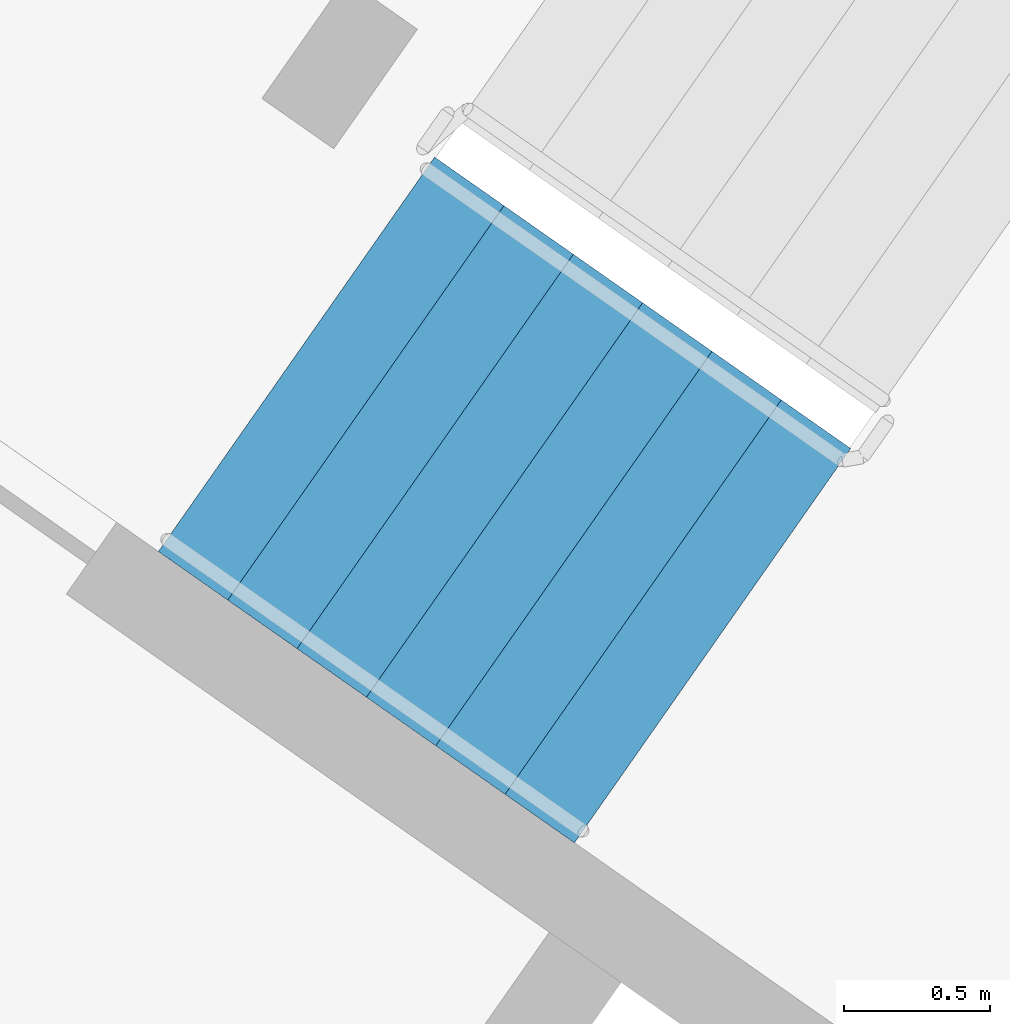
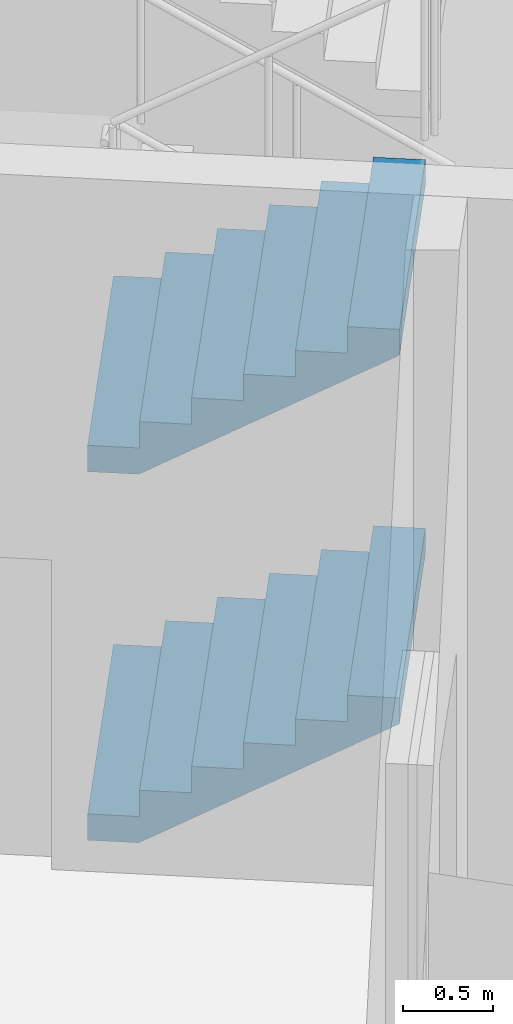
# One storey, part 15 of 24: 2 stair flights, 1 element without a shape of its own.
"""IFC4 building model written with IfcOpenShell, lengths in metres."""

import ifcopenshell
import ifcopenshell.guid

model = None  # the IFC model being written
_history = None  # IfcOwnerHistory: only IFC2X3 demands one
_inside = {}  # id of a spatial element -> (the spatial element, [elements in it])
_under = {}  # id of a project, library or spatial element -> (it, [spatial elements below it])
_declared = {}  # id of a project -> (the project, [libraries it declares])
_typed = {}  # id of a type object -> (the type object, [elements of that type])
_made_of = {}  # id of a material, layer set ... -> (it, [elements and type objects made of it])


def new_model(schema):
    """Start an empty IFC model of exactly this schema.

    Asked for "IFC4X3", IfcOpenShell would pick the latest addendum, in which some entities
    have other attributes; the version numbers below select the first issue.
    IFC2X3 requires an IfcOwnerHistory on every rooted entity: one is made here for all.
    """
    global model, _history
    if schema == "IFC4X3":
        model = ifcopenshell.file(schema_version=(4, 3, 0, 0))
    else:
        model = ifcopenshell.file(schema=schema)
    _inside.clear()
    _under.clear()
    _declared.clear()
    _typed.clear()
    _made_of.clear()
    _history = None
    if model.schema == "IFC2X3":
        org = make("IfcOrganization", Name="unknown")
        user = make(
            "IfcPersonAndOrganization",
            ThePerson=make("IfcPerson", FamilyName="unknown"),
            TheOrganization=org,
        )
        app = make(
            "IfcApplication",
            ApplicationDeveloper=org,
            Version="unknown",
            ApplicationFullName="unknown",
            ApplicationIdentifier="unknown",
        )
        _history = make(
            "IfcOwnerHistory",
            OwningUser=user,
            OwningApplication=app,
            ChangeAction="ADDED",
            CreationDate=0,
        )
    return model


def make(cls, **values):
    """One entity of the class cls with the attributes given. An attribute that is None is left unset."""
    return model.create_entity(
        cls, **{name: value for name, value in values.items() if value is not None}
    )


def rooted(cls, **values):
    """An entity with a GlobalId (a new one), such as an element, a storey or a relation."""
    return make(cls, GlobalId=ifcopenshell.guid.new(), OwnerHistory=_history, **values)


def si_unit(unit_type, name, prefix=None):
    """IfcSIUnit, for example si_unit("LENGTHUNIT", "METRE", prefix="MILLI")."""
    return make("IfcSIUnit", UnitType=unit_type, Prefix=prefix, Name=name)


def assignment(units):
    """IfcUnitAssignment: the units of a project."""
    return None if units is None else make("IfcUnitAssignment", Units=units)


def point(xyz):
    """IfcCartesianPoint."""
    return None if xyz is None else make("IfcCartesianPoint", Coordinates=xyz)


def direction(xyz):
    """IfcDirection."""
    return None if xyz is None else make("IfcDirection", DirectionRatios=xyz)


def frame(location, z_axis=None, x_axis=None):
    """IfcAxis2Placement3D, a coordinate frame: its origin and axes. An axis left out is left unset."""
    return make(
        "IfcAxis2Placement3D",
        Location=point(location),
        Axis=direction(z_axis),
        RefDirection=direction(x_axis),
    )


def origin():
    """The frame at (0, 0, 0) with its axes left unset."""
    return frame((0.0, 0.0, 0.0))


def place(relative_to, where):
    """IfcLocalPlacement: puts the frame where relative to a parent placement (None: the world)."""
    return make(
        "IfcLocalPlacement", PlacementRelTo=relative_to, RelativePlacement=where
    )


def context(
    kind, dimensions, precision=None, world=None, true_north=None, identifier=None
):
    """IfcGeometricRepresentationContext, for example the 3D "Model" context."""
    return make(
        "IfcGeometricRepresentationContext",
        ContextIdentifier=identifier,
        ContextType=kind,
        CoordinateSpaceDimension=dimensions,
        Precision=precision,
        WorldCoordinateSystem=world,
        TrueNorth=true_north,
    )


def subcontext(parent, identifier, kind, view, scale=None):
    """IfcGeometricRepresentationSubContext, for example "Body" below "Model"."""
    return make(
        "IfcGeometricRepresentationSubContext",
        ContextIdentifier=identifier,
        ContextType=kind,
        ParentContext=parent,
        TargetScale=scale,
        TargetView=view,
    )


def project(units=None, contexts=None):
    """IfcProject with its units and contexts."""
    return rooted(
        "IfcProject",
        Name="project",
        RepresentationContexts=contexts,
        UnitsInContext=assignment(units),
    )


def spatial(cls, under=None, at=None, **own):
    """A site, building, storey or space (cls), placed at a placement, below another one or the project."""
    s = rooted(cls, ObjectPlacement=at, **own)
    if under is not None:
        _under.setdefault(under.id(), (under, []))[1].append(s)
    return s


def faces_of(points, faces, orient=None, outer=None):
    """IfcFace entities. A face is a list of loops; a loop is a list of indices into points, from 0.

    orient and outer hold one flag for each loop. By default every Orientation is true, the
    first loop of a face is its IfcFaceOuterBound and the others are IfcFaceBound.
    """
    made = []
    for i, loops in enumerate(faces):
        bounds = []
        for j, loop in enumerate(loops):
            is_outer = j == 0 if outer is None else outer[i][j]
            bounds.append(
                make(
                    "IfcFaceOuterBound" if is_outer else "IfcFaceBound",
                    Bound=make("IfcPolyLoop", Polygon=[points[k] for k in loop]),
                    Orientation=True if orient is None else orient[i][j],
                )
            )
        made.append(make("IfcFace", Bounds=bounds))
    return made


def faceted_brep(points, faces, orient=None, outer=None, voids=None):
    """IfcFacetedBrep: a solid bounded by flat faces; with voids (closed shells), ...WithVoids."""
    shared = [point(p) for p in points]
    hull = make("IfcClosedShell", CfsFaces=faces_of(shared, faces, orient, outer))
    if voids is None:
        return make("IfcFacetedBrep", Outer=hull)
    return make(
        "IfcFacetedBrepWithVoids",
        Outer=hull,
        Voids=[
            make(cls, CfsFaces=faces_of(shared, fs, o, b)) for cls, fs, o, b in voids
        ],
    )


def shape(context_of_items, identifier, shape_type, items):
    """IfcShapeRepresentation: the items that make up one representation, for example the "Body"."""
    return make(
        "IfcShapeRepresentation",
        ContextOfItems=context_of_items,
        RepresentationIdentifier=identifier,
        RepresentationType=shape_type,
        Items=items,
    )


def material(Name=None, Category=None):
    """IfcMaterial."""
    return make("IfcMaterial", Name=Name, Category=Category)


def made_of(thing, what):
    """Note that an element or type object is made of a material, layer set ...; save() writes the relation."""
    if what is not None:
        _made_of.setdefault(what.id(), (what, []))[1].append(thing)
    return thing


def type_object(cls, material=None, **own):
    """A type object (cls), such as IfcWallType, which elements share."""
    return made_of(rooted(cls, **own), material)


def element(
    cls,
    number,
    at=None,
    inside=None,
    cuts=None,
    type_object=None,
    material=None,
    context=None,
    identifier="Body",
    shape_type=None,
    held_by="IfcProductDefinitionShape",
    body=None,
    shapes=None,
    **own,
):
    """One element of the class cls, such as IfcWall. Its Tag is "e" and its number.

    at: its placement. inside: the storey or other place that contains it. cuts: it is an
    opening in that element (IfcRelVoidsElement). A single representation is given by context,
    identifier, shape_type and body (its items); several are given by shapes. held_by: the class
    of the entity that holds the representations. save() writes the other relations.
    """
    e = rooted(cls, Tag="e%d" % number, ObjectPlacement=at, **own)
    if body is not None:
        shapes = [shape(context, identifier, shape_type, body)]
    if shapes is not None:
        e.Representation = make(held_by, Representations=shapes)
    if inside is not None:
        _inside.setdefault(inside.id(), (inside, []))[1].append(e)
    if cuts is not None:
        rooted(
            "IfcRelVoidsElement", RelatingBuildingElement=cuts, RelatedOpeningElement=e
        )
    if type_object is not None:
        _typed.setdefault(type_object.id(), (type_object, []))[1].append(e)
    return made_of(e, material)


def aggregate(whole, parts):
    """IfcRelAggregates: a whole, such as a stair, and the parts it consists of."""
    return rooted("IfcRelAggregates", RelatingObject=whole, RelatedObjects=parts)


def save(model, path):
    """Write the relations noted so far, then the file.

    IfcRelAggregates (storeys below a building ...), IfcRelContainedInSpatialStructure (elements
    in a storey), IfcRelDefinesByType, IfcRelAssociatesMaterial and IfcRelDeclares: one each for
    every whole, place, type object, material and project.
    """
    for whole, parts in _under.values():
        aggregate(whole, parts)
    for where, things in _inside.values():
        rooted(
            "IfcRelContainedInSpatialStructure",
            RelatedElements=things,
            RelatingStructure=where,
        )
    for kind, things in _typed.values():
        rooted("IfcRelDefinesByType", RelatedObjects=things, RelatingType=kind)
    for what, things in _made_of.values():
        rooted("IfcRelAssociatesMaterial", RelatedObjects=things, RelatingMaterial=what)
    for by, libraries in _declared.values():
        rooted("IfcRelDeclares", RelatingContext=by, RelatedDefinitions=libraries)
    model.write(path)


model = new_model("IFC4")

# Units and contexts
model_context = context("Model", 3, precision=1e-05, world=origin(), true_north=direction((0.0, 1.0)))
body_context = subcontext(model_context, "Body", "Model", "MODEL_VIEW")
ifc_project = project(units=[si_unit("LENGTHUNIT", "METRE"), si_unit("AREAUNIT", "SQUARE_METRE"), si_unit("VOLUMEUNIT", "CUBIC_METRE"), si_unit("PLANEANGLEUNIT", "RADIAN"), si_unit("MASSUNIT", "GRAM", prefix="KILO")], contexts=[model_context])

# Site, building, storey
site_placement = place(None, origin())
site = spatial("IfcSite", under=ifc_project, at=site_placement, CompositionType="ELEMENT")
building_placement = place(site_placement, origin())
building = spatial("IfcBuilding", under=site, at=building_placement, Name="Qamariyya Broadcast Tower", CompositionType="ELEMENT")
storey_placement = place(building_placement, frame((0.0, 0.0, 253.10009765625)))
storey = spatial("IfcBuildingStorey", under=building, at=storey_placement, Name="L61", CompositionType="ELEMENT", Elevation=253.10009765625)

# Stair, stair flights
ifc_material = material(Name="Concrete C50/60", Category="concrete")
stair_type = type_object("IfcStairType", Name="Exit stair 28 risers of 179 mm", PredefinedType="HALF_TURN_STAIR", material=ifc_material)
stair_placement = place(storey_placement, origin())
stair = element("IfcStair", 1, at=stair_placement, inside=storey, type_object=stair_type, Name="L61 Stair W2", PredefinedType="HALF_TURN_STAIR")
stair_flight_type = type_object("IfcStairFlightType", Name="Exit stair flight 7 risers of 179 mm", PredefinedType="STRAIGHT", material=ifc_material)
stair_flight_1_placement = place(storey_placement, frame((-41.59130859375, -49.15966796875, 0.0), z_axis=(0.0, 0.0, 1.0), x_axis=(0.819152044289, -0.573576436351, 0.0)))
stair_flight_1 = element("IfcStairFlight", 2, at=stair_flight_1_placement, type_object=stair_flight_type, Name="ST-W2 flight 1", NumberOfRisers=7, NumberOfTreads=6, PredefinedType="STRAIGHT", RiserHeight=0.178571429, TreadLength=0.29, context=body_context, shape_type="Brep", body=[
    faceted_brep([(0.0, 0.824951171875, 0.0), (0.0, 0.824951171875, 0.178466796875), (0.2900390625, 0.824951171875, 0.178466796875), (0.2900390625, 0.824951171875, 0.357177734375), (0.580078125, 0.824951171875, 0.357177734375), (0.580078125, 0.824951171875, 0.53564453125), (0.8701171875, 0.824951171875, 0.53564453125), (0.8701171875, 0.824951171875, 0.71435546875), (1.159912109375, 0.824951171875, 0.71435546875), (1.159912109375, 0.824951171875, 0.892822265625), (1.449951171875, 0.824951171875, 0.892822265625), (1.449951171875, 0.824951171875, 1.071533203125), (1.739990234375, 0.824951171875, 1.071533203125), (1.739990234375, 0.824951171875, 0.8955078125), (0.285888671875, 0.824951171875, 0.0), (0.285888671875, -0.824951171875, 0.0), (1.739990234375, -0.824951171875, 0.8955078125), (1.739990234375, -0.824951171875, 1.071533203125), (1.449951171875, -0.824951171875, 1.071533203125), (1.449951171875, -0.824951171875, 0.892822265625), (1.159912109375, -0.824951171875, 0.892822265625), (1.159912109375, -0.824951171875, 0.71435546875), (0.8701171875, -0.824951171875, 0.71435546875), (0.8701171875, -0.824951171875, 0.53564453125), (0.580078125, -0.824951171875, 0.53564453125), (0.580078125, -0.824951171875, 0.357177734375), (0.2900390625, -0.824951171875, 0.357177734375), (0.2900390625, -0.824951171875, 0.178466796875), (0.0, -0.824951171875, 0.178466796875), (0.0, -0.824951171875, 0.0), (0.0, 0.10009765625, 0.0), (0.0, 0.086669921875, 0.0), (0.0, 0.0732421875, 0.0), (0.0, 0.06005859375, 0.0), (0.0, 0.046630859375, 0.0), (0.0, 0.033447265625, 0.0), (0.0, 0.02001953125, 0.0), (0.0, 0.006591796875, 0.0), (0.0, -0.006591796875, 0.0), (0.0, -0.02001953125, 0.0), (0.0, -0.033447265625, 0.0), (0.0, -0.046630859375, 0.0), (0.0, -0.06005859375, 0.0), (0.0, -0.0732421875, 0.0), (0.0, -0.086669921875, 0.0), (0.0, -0.10009765625, 0.0), (0.0, -0.10009765625, 0.178466796875), (0.0, -0.086669921875, 0.178466796875), (0.0, -0.0732421875, 0.178466796875), (0.0, -0.06005859375, 0.178466796875), (0.0, -0.046630859375, 0.178466796875), (0.0, -0.033447265625, 0.178466796875), (0.0, -0.02001953125, 0.178466796875), (0.0, -0.006591796875, 0.178466796875), (0.0, 0.006591796875, 0.178466796875), (0.0, 0.02001953125, 0.178466796875), (0.0, 0.033447265625, 0.178466796875), (0.0, 0.046630859375, 0.178466796875), (0.0, 0.06005859375, 0.178466796875), (0.0, 0.0732421875, 0.178466796875), (0.0, 0.086669921875, 0.178466796875), (0.0, 0.10009765625, 0.178466796875), (0.2900390625, -0.10009765625, 0.178466796875), (0.2900390625, -0.086669921875, 0.178466796875), (0.2900390625, -0.0732421875, 0.178466796875), (0.2900390625, -0.06005859375, 0.178466796875), (0.2900390625, -0.046630859375, 0.178466796875), (0.2900390625, -0.033447265625, 0.178466796875), (0.2900390625, -0.02001953125, 0.178466796875), (0.2900390625, -0.006591796875, 0.178466796875), (0.2900390625, 0.006591796875, 0.178466796875), (0.2900390625, 0.02001953125, 0.178466796875), (0.2900390625, 0.033447265625, 0.178466796875), (0.2900390625, 0.046630859375, 0.178466796875), (0.2900390625, 0.06005859375, 0.178466796875), (0.2900390625, 0.0732421875, 0.178466796875), (0.2900390625, 0.086669921875, 0.178466796875), (0.2900390625, 0.10009765625, 0.178466796875), (0.2900390625, -0.10009765625, 0.357177734375), (0.2900390625, -0.086669921875, 0.357177734375), (0.2900390625, -0.0732421875, 0.357177734375), (0.2900390625, -0.06005859375, 0.357177734375), (0.2900390625, -0.046630859375, 0.357177734375), (0.2900390625, -0.033447265625, 0.357177734375), (0.2900390625, -0.02001953125, 0.357177734375), (0.2900390625, -0.006591796875, 0.357177734375), (0.2900390625, 0.006591796875, 0.357177734375), (0.2900390625, 0.02001953125, 0.357177734375), (0.2900390625, 0.033447265625, 0.357177734375), (0.2900390625, 0.046630859375, 0.357177734375), (0.2900390625, 0.06005859375, 0.357177734375), (0.2900390625, 0.0732421875, 0.357177734375), (0.2900390625, 0.086669921875, 0.357177734375), (0.2900390625, 0.10009765625, 0.357177734375), (0.580078125, -0.10009765625, 0.357177734375), (0.580078125, -0.086669921875, 0.357177734375), (0.580078125, -0.0732421875, 0.357177734375), (0.580078125, -0.06005859375, 0.357177734375), (0.580078125, -0.046630859375, 0.357177734375), (0.580078125, -0.033447265625, 0.357177734375), (0.580078125, -0.02001953125, 0.357177734375), (0.580078125, -0.006591796875, 0.357177734375), (0.580078125, 0.006591796875, 0.357177734375), (0.580078125, 0.02001953125, 0.357177734375), (0.580078125, 0.033447265625, 0.357177734375), (0.580078125, 0.046630859375, 0.357177734375), (0.580078125, 0.06005859375, 0.357177734375), (0.580078125, 0.0732421875, 0.357177734375), (0.580078125, 0.086669921875, 0.357177734375), (0.580078125, 0.10009765625, 0.357177734375), (0.580078125, -0.10009765625, 0.53564453125), (0.580078125, -0.086669921875, 0.53564453125), (0.580078125, -0.0732421875, 0.53564453125), (0.580078125, -0.06005859375, 0.53564453125), (0.580078125, -0.046630859375, 0.53564453125), (0.580078125, -0.033447265625, 0.53564453125), (0.580078125, -0.02001953125, 0.53564453125), (0.580078125, -0.006591796875, 0.53564453125), (0.580078125, 0.006591796875, 0.53564453125), (0.580078125, 0.02001953125, 0.53564453125), (0.580078125, 0.033447265625, 0.53564453125), (0.580078125, 0.046630859375, 0.53564453125), (0.580078125, 0.06005859375, 0.53564453125), (0.580078125, 0.0732421875, 0.53564453125), (0.580078125, 0.086669921875, 0.53564453125), (0.580078125, 0.10009765625, 0.53564453125), (0.8701171875, -0.10009765625, 0.53564453125), (0.8701171875, -0.086669921875, 0.53564453125), (0.8701171875, -0.0732421875, 0.53564453125), (0.8701171875, -0.06005859375, 0.53564453125), (0.8701171875, -0.046630859375, 0.53564453125), (0.8701171875, -0.033447265625, 0.53564453125), (0.8701171875, -0.02001953125, 0.53564453125), (0.8701171875, -0.006591796875, 0.53564453125), (0.8701171875, 0.006591796875, 0.53564453125), (0.8701171875, 0.02001953125, 0.53564453125), (0.8701171875, 0.033447265625, 0.53564453125), (0.8701171875, 0.046630859375, 0.53564453125), (0.8701171875, 0.06005859375, 0.53564453125), (0.8701171875, 0.0732421875, 0.53564453125), (0.8701171875, 0.086669921875, 0.53564453125), (0.8701171875, 0.10009765625, 0.53564453125), (0.8701171875, -0.10009765625, 0.71435546875), (0.8701171875, -0.086669921875, 0.71435546875), (0.8701171875, -0.0732421875, 0.71435546875), (0.8701171875, -0.06005859375, 0.71435546875), (0.8701171875, -0.046630859375, 0.71435546875), (0.8701171875, -0.033447265625, 0.71435546875), (0.8701171875, -0.02001953125, 0.71435546875), (0.8701171875, -0.006591796875, 0.71435546875), (0.8701171875, 0.006591796875, 0.71435546875), (0.8701171875, 0.02001953125, 0.71435546875), (0.8701171875, 0.033447265625, 0.71435546875), (0.8701171875, 0.046630859375, 0.71435546875), (0.8701171875, 0.06005859375, 0.71435546875), (0.8701171875, 0.0732421875, 0.71435546875), (0.8701171875, 0.086669921875, 0.71435546875), (0.8701171875, 0.10009765625, 0.71435546875), (1.159912109375, -0.10009765625, 0.71435546875), (1.159912109375, -0.086669921875, 0.71435546875), (1.159912109375, -0.0732421875, 0.71435546875), (1.159912109375, -0.06005859375, 0.71435546875), (1.159912109375, -0.046630859375, 0.71435546875), (1.159912109375, -0.033447265625, 0.71435546875), (1.159912109375, -0.02001953125, 0.71435546875), (1.159912109375, -0.006591796875, 0.71435546875), (1.159912109375, 0.006591796875, 0.71435546875), (1.159912109375, 0.02001953125, 0.71435546875), (1.159912109375, 0.033447265625, 0.71435546875), (1.159912109375, 0.046630859375, 0.71435546875), (1.159912109375, 0.06005859375, 0.71435546875), (1.159912109375, 0.0732421875, 0.71435546875), (1.159912109375, 0.086669921875, 0.71435546875), (1.159912109375, 0.10009765625, 0.71435546875), (1.159912109375, -0.10009765625, 0.892822265625), (1.159912109375, -0.086669921875, 0.892822265625), (1.159912109375, -0.0732421875, 0.892822265625), (1.159912109375, -0.06005859375, 0.892822265625), (1.159912109375, -0.046630859375, 0.892822265625), (1.159912109375, -0.033447265625, 0.892822265625), (1.159912109375, -0.02001953125, 0.892822265625), (1.159912109375, -0.006591796875, 0.892822265625), (1.159912109375, 0.006591796875, 0.892822265625), (1.159912109375, 0.02001953125, 0.892822265625), (1.159912109375, 0.033447265625, 0.892822265625), (1.159912109375, 0.046630859375, 0.892822265625), (1.159912109375, 0.06005859375, 0.892822265625), (1.159912109375, 0.0732421875, 0.892822265625), (1.159912109375, 0.086669921875, 0.892822265625), (1.159912109375, 0.10009765625, 0.892822265625), (1.449951171875, -0.10009765625, 0.892822265625), (1.449951171875, -0.086669921875, 0.892822265625), (1.449951171875, -0.0732421875, 0.892822265625), (1.449951171875, -0.06005859375, 0.892822265625), (1.449951171875, -0.046630859375, 0.892822265625), (1.449951171875, -0.033447265625, 0.892822265625), (1.449951171875, -0.02001953125, 0.892822265625), (1.449951171875, -0.006591796875, 0.892822265625), (1.449951171875, 0.006591796875, 0.892822265625), (1.449951171875, 0.02001953125, 0.892822265625), (1.449951171875, 0.033447265625, 0.892822265625), (1.449951171875, 0.046630859375, 0.892822265625), (1.449951171875, 0.06005859375, 0.892822265625), (1.449951171875, 0.0732421875, 0.892822265625), (1.449951171875, 0.086669921875, 0.892822265625), (1.449951171875, 0.10009765625, 0.892822265625), (1.449951171875, -0.10009765625, 1.071533203125), (1.449951171875, -0.086669921875, 1.071533203125), (1.449951171875, -0.0732421875, 1.071533203125), (1.449951171875, -0.06005859375, 1.071533203125), (1.449951171875, -0.046630859375, 1.071533203125), (1.449951171875, -0.033447265625, 1.071533203125), (1.449951171875, -0.02001953125, 1.071533203125), (1.449951171875, -0.006591796875, 1.071533203125), (1.449951171875, 0.006591796875, 1.071533203125), (1.449951171875, 0.02001953125, 1.071533203125), (1.449951171875, 0.033447265625, 1.071533203125), (1.449951171875, 0.046630859375, 1.071533203125), (1.449951171875, 0.06005859375, 1.071533203125), (1.449951171875, 0.0732421875, 1.071533203125), (1.449951171875, 0.086669921875, 1.071533203125), (1.449951171875, 0.10009765625, 1.071533203125), (1.739990234375, -0.10009765625, 1.071533203125), (1.739990234375, -0.086669921875, 1.071533203125), (1.739990234375, -0.0732421875, 1.071533203125), (1.739990234375, -0.06005859375, 1.071533203125), (1.739990234375, -0.046630859375, 1.071533203125), (1.739990234375, -0.033447265625, 1.071533203125), (1.739990234375, -0.02001953125, 1.071533203125), (1.739990234375, -0.006591796875, 1.071533203125), (1.739990234375, 0.006591796875, 1.071533203125), (1.739990234375, 0.02001953125, 1.071533203125), (1.739990234375, 0.033447265625, 1.071533203125), (1.739990234375, 0.046630859375, 1.071533203125), (1.739990234375, 0.06005859375, 1.071533203125), (1.739990234375, 0.0732421875, 1.071533203125), (1.739990234375, 0.086669921875, 1.071533203125), (1.739990234375, 0.10009765625, 1.071533203125), (1.739990234375, -0.10009765625, 0.8955078125), (1.739990234375, -0.086669921875, 0.8955078125), (1.739990234375, -0.0732421875, 0.8955078125), (1.739990234375, -0.06005859375, 0.8955078125), (1.739990234375, -0.046630859375, 0.8955078125), (1.739990234375, -0.033447265625, 0.8955078125), (1.739990234375, -0.02001953125, 0.8955078125), (1.739990234375, -0.006591796875, 0.8955078125), (1.739990234375, 0.006591796875, 0.8955078125), (1.739990234375, 0.02001953125, 0.8955078125), (1.739990234375, 0.033447265625, 0.8955078125), (1.739990234375, 0.046630859375, 0.8955078125), (1.739990234375, 0.06005859375, 0.8955078125), (1.739990234375, 0.0732421875, 0.8955078125), (1.739990234375, 0.086669921875, 0.8955078125), (1.739990234375, 0.10009765625, 0.8955078125), (0.285888671875, -0.10009765625, 0.0), (0.285888671875, -0.086669921875, 0.0), (0.285888671875, -0.0732421875, 0.0), (0.285888671875, -0.06005859375, 0.0), (0.285888671875, -0.046630859375, 0.0), (0.285888671875, -0.033447265625, 0.0), (0.285888671875, -0.02001953125, 0.0), (0.285888671875, -0.006591796875, 0.0), (0.285888671875, 0.006591796875, 0.0), (0.285888671875, 0.02001953125, 0.0), (0.285888671875, 0.033447265625, 0.0), (0.285888671875, 0.046630859375, 0.0), (0.285888671875, 0.06005859375, 0.0), (0.285888671875, 0.0732421875, 0.0), (0.285888671875, 0.086669921875, 0.0), (0.285888671875, 0.10009765625, 0.0)], [[[0, 1, 2, 3, 4, 5, 6, 7, 8, 9, 10, 11, 12, 13, 14]], [[15, 16, 17, 18, 19, 20, 21, 22, 23, 24, 25, 26, 27, 28, 29]], [[0, 30, 31, 32, 33, 34, 35, 36, 37, 38, 39, 40, 41, 42, 43, 44, 45, 29, 28, 46, 47, 48, 49, 50, 51, 52, 53, 54, 55, 56, 57, 58, 59, 60, 61, 1]], [[1, 61, 60, 59, 58, 57, 56, 55, 54, 53, 52, 51, 50, 49, 48, 47, 46, 28, 27, 62, 63, 64, 65, 66, 67, 68, 69, 70, 71, 72, 73, 74, 75, 76, 77, 2]], [[2, 77, 76, 75, 74, 73, 72, 71, 70, 69, 68, 67, 66, 65, 64, 63, 62, 27, 26, 78, 79, 80, 81, 82, 83, 84, 85, 86, 87, 88, 89, 90, 91, 92, 93, 3]], [[3, 93, 92, 91, 90, 89, 88, 87, 86, 85, 84, 83, 82, 81, 80, 79, 78, 26, 25, 94, 95, 96, 97, 98, 99, 100, 101, 102, 103, 104, 105, 106, 107, 108, 109, 4]], [[4, 109, 108, 107, 106, 105, 104, 103, 102, 101, 100, 99, 98, 97, 96, 95, 94, 25, 24, 110, 111, 112, 113, 114, 115, 116, 117, 118, 119, 120, 121, 122, 123, 124, 125, 5]], [[5, 125, 124, 123, 122, 121, 120, 119, 118, 117, 116, 115, 114, 113, 112, 111, 110, 24, 23, 126, 127, 128, 129, 130, 131, 132, 133, 134, 135, 136, 137, 138, 139, 140, 141, 6]], [[6, 141, 140, 139, 138, 137, 136, 135, 134, 133, 132, 131, 130, 129, 128, 127, 126, 23, 22, 142, 143, 144, 145, 146, 147, 148, 149, 150, 151, 152, 153, 154, 155, 156, 157, 7]], [[7, 157, 156, 155, 154, 153, 152, 151, 150, 149, 148, 147, 146, 145, 144, 143, 142, 22, 21, 158, 159, 160, 161, 162, 163, 164, 165, 166, 167, 168, 169, 170, 171, 172, 173, 8]], [[8, 173, 172, 171, 170, 169, 168, 167, 166, 165, 164, 163, 162, 161, 160, 159, 158, 21, 20, 174, 175, 176, 177, 178, 179, 180, 181, 182, 183, 184, 185, 186, 187, 188, 189, 9]], [[9, 189, 188, 187, 186, 185, 184, 183, 182, 181, 180, 179, 178, 177, 176, 175, 174, 20, 19, 190, 191, 192, 193, 194, 195, 196, 197, 198, 199, 200, 201, 202, 203, 204, 205, 10]], [[10, 205, 204, 203, 202, 201, 200, 199, 198, 197, 196, 195, 194, 193, 192, 191, 190, 19, 18, 206, 207, 208, 209, 210, 211, 212, 213, 214, 215, 216, 217, 218, 219, 220, 221, 11]], [[11, 221, 220, 219, 218, 217, 216, 215, 214, 213, 212, 211, 210, 209, 208, 207, 206, 18, 17, 222, 223, 224, 225, 226, 227, 228, 229, 230, 231, 232, 233, 234, 235, 236, 237, 12]], [[12, 237, 236, 235, 234, 233, 232, 231, 230, 229, 228, 227, 226, 225, 224, 223, 222, 17, 16, 238, 239, 240, 241, 242, 243, 244, 245, 246, 247, 248, 249, 250, 251, 252, 253, 13]], [[13, 253, 252, 251, 250, 249, 248, 247, 246, 245, 244, 243, 242, 241, 240, 239, 238, 16, 15, 254, 255, 256, 257, 258, 259, 260, 261, 262, 263, 264, 265, 266, 267, 268, 269, 14]], [[14, 269, 268, 267, 266, 265, 264, 263, 262, 261, 260, 259, 258, 257, 256, 255, 254, 15, 29, 45, 44, 43, 42, 41, 40, 39, 38, 37, 36, 35, 34, 33, 32, 31, 30, 0]]]),
])
stair_flight_2_placement = place(storey_placement, frame((-41.59130859375, -49.15966796875, 2.5), z_axis=(0.0, 0.0, 1.0), x_axis=(0.819152044289, -0.573576436351, 0.0)))
stair_flight_2 = element("IfcStairFlight", 3, at=stair_flight_2_placement, type_object=stair_flight_type, Name="ST-W2 flight 3", NumberOfRisers=7, NumberOfTreads=6, PredefinedType="STRAIGHT", RiserHeight=0.178571429, TreadLength=0.29, context=body_context, shape_type="Brep", body=[
    faceted_brep([(0.0, 0.824951171875, 0.0), (0.0, 0.824951171875, 0.178466796875), (0.2900390625, 0.824951171875, 0.178466796875), (0.2900390625, 0.824951171875, 0.357177734375), (0.580078125, 0.824951171875, 0.357177734375), (0.580078125, 0.824951171875, 0.53564453125), (0.8701171875, 0.824951171875, 0.53564453125), (0.8701171875, 0.824951171875, 0.71435546875), (1.159912109375, 0.824951171875, 0.71435546875), (1.159912109375, 0.824951171875, 0.892822265625), (1.449951171875, 0.824951171875, 0.892822265625), (1.449951171875, 0.824951171875, 1.071533203125), (1.739990234375, 0.824951171875, 1.071533203125), (1.739990234375, 0.824951171875, 0.8955078125), (0.285888671875, 0.824951171875, 0.0), (0.285888671875, -0.824951171875, 0.0), (1.739990234375, -0.824951171875, 0.8955078125), (1.739990234375, -0.824951171875, 1.071533203125), (1.449951171875, -0.824951171875, 1.071533203125), (1.449951171875, -0.824951171875, 0.892822265625), (1.159912109375, -0.824951171875, 0.892822265625), (1.159912109375, -0.824951171875, 0.71435546875), (0.8701171875, -0.824951171875, 0.71435546875), (0.8701171875, -0.824951171875, 0.53564453125), (0.580078125, -0.824951171875, 0.53564453125), (0.580078125, -0.824951171875, 0.357177734375), (0.2900390625, -0.824951171875, 0.357177734375), (0.2900390625, -0.824951171875, 0.178466796875), (0.0, -0.824951171875, 0.178466796875), (0.0, -0.824951171875, 0.0), (0.0, 0.10009765625, 0.0), (0.0, 0.086669921875, 0.0), (0.0, 0.0732421875, 0.0), (0.0, 0.06005859375, 0.0), (0.0, 0.046630859375, 0.0), (0.0, 0.033447265625, 0.0), (0.0, 0.02001953125, 0.0), (0.0, 0.006591796875, 0.0), (0.0, -0.006591796875, 0.0), (0.0, -0.02001953125, 0.0), (0.0, -0.033447265625, 0.0), (0.0, -0.046630859375, 0.0), (0.0, -0.06005859375, 0.0), (0.0, -0.0732421875, 0.0), (0.0, -0.086669921875, 0.0), (0.0, -0.10009765625, 0.0), (0.0, -0.10009765625, 0.178466796875), (0.0, -0.086669921875, 0.178466796875), (0.0, -0.0732421875, 0.178466796875), (0.0, -0.06005859375, 0.178466796875), (0.0, -0.046630859375, 0.178466796875), (0.0, -0.033447265625, 0.178466796875), (0.0, -0.02001953125, 0.178466796875), (0.0, -0.006591796875, 0.178466796875), (0.0, 0.006591796875, 0.178466796875), (0.0, 0.02001953125, 0.178466796875), (0.0, 0.033447265625, 0.178466796875), (0.0, 0.046630859375, 0.178466796875), (0.0, 0.06005859375, 0.178466796875), (0.0, 0.0732421875, 0.178466796875), (0.0, 0.086669921875, 0.178466796875), (0.0, 0.10009765625, 0.178466796875), (0.2900390625, -0.10009765625, 0.178466796875), (0.2900390625, -0.086669921875, 0.178466796875), (0.2900390625, -0.0732421875, 0.178466796875), (0.2900390625, -0.06005859375, 0.178466796875), (0.2900390625, -0.046630859375, 0.178466796875), (0.2900390625, -0.033447265625, 0.178466796875), (0.2900390625, -0.02001953125, 0.178466796875), (0.2900390625, -0.006591796875, 0.178466796875), (0.2900390625, 0.006591796875, 0.178466796875), (0.2900390625, 0.02001953125, 0.178466796875), (0.2900390625, 0.033447265625, 0.178466796875), (0.2900390625, 0.046630859375, 0.178466796875), (0.2900390625, 0.06005859375, 0.178466796875), (0.2900390625, 0.0732421875, 0.178466796875), (0.2900390625, 0.086669921875, 0.178466796875), (0.2900390625, 0.10009765625, 0.178466796875), (0.2900390625, -0.10009765625, 0.357177734375), (0.2900390625, -0.086669921875, 0.357177734375), (0.2900390625, -0.0732421875, 0.357177734375), (0.2900390625, -0.06005859375, 0.357177734375), (0.2900390625, -0.046630859375, 0.357177734375), (0.2900390625, -0.033447265625, 0.357177734375), (0.2900390625, -0.02001953125, 0.357177734375), (0.2900390625, -0.006591796875, 0.357177734375), (0.2900390625, 0.006591796875, 0.357177734375), (0.2900390625, 0.02001953125, 0.357177734375), (0.2900390625, 0.033447265625, 0.357177734375), (0.2900390625, 0.046630859375, 0.357177734375), (0.2900390625, 0.06005859375, 0.357177734375), (0.2900390625, 0.0732421875, 0.357177734375), (0.2900390625, 0.086669921875, 0.357177734375), (0.2900390625, 0.10009765625, 0.357177734375), (0.580078125, -0.10009765625, 0.357177734375), (0.580078125, -0.086669921875, 0.357177734375), (0.580078125, -0.0732421875, 0.357177734375), (0.580078125, -0.06005859375, 0.357177734375), (0.580078125, -0.046630859375, 0.357177734375), (0.580078125, -0.033447265625, 0.357177734375), (0.580078125, -0.02001953125, 0.357177734375), (0.580078125, -0.006591796875, 0.357177734375), (0.580078125, 0.006591796875, 0.357177734375), (0.580078125, 0.02001953125, 0.357177734375), (0.580078125, 0.033447265625, 0.357177734375), (0.580078125, 0.046630859375, 0.357177734375), (0.580078125, 0.06005859375, 0.357177734375), (0.580078125, 0.0732421875, 0.357177734375), (0.580078125, 0.086669921875, 0.357177734375), (0.580078125, 0.10009765625, 0.357177734375), (0.580078125, -0.10009765625, 0.53564453125), (0.580078125, -0.086669921875, 0.53564453125), (0.580078125, -0.0732421875, 0.53564453125), (0.580078125, -0.06005859375, 0.53564453125), (0.580078125, -0.046630859375, 0.53564453125), (0.580078125, -0.033447265625, 0.53564453125), (0.580078125, -0.02001953125, 0.53564453125), (0.580078125, -0.006591796875, 0.53564453125), (0.580078125, 0.006591796875, 0.53564453125), (0.580078125, 0.02001953125, 0.53564453125), (0.580078125, 0.033447265625, 0.53564453125), (0.580078125, 0.046630859375, 0.53564453125), (0.580078125, 0.06005859375, 0.53564453125), (0.580078125, 0.0732421875, 0.53564453125), (0.580078125, 0.086669921875, 0.53564453125), (0.580078125, 0.10009765625, 0.53564453125), (0.8701171875, -0.10009765625, 0.53564453125), (0.8701171875, -0.086669921875, 0.53564453125), (0.8701171875, -0.0732421875, 0.53564453125), (0.8701171875, -0.06005859375, 0.53564453125), (0.8701171875, -0.046630859375, 0.53564453125), (0.8701171875, -0.033447265625, 0.53564453125), (0.8701171875, -0.02001953125, 0.53564453125), (0.8701171875, -0.006591796875, 0.53564453125), (0.8701171875, 0.006591796875, 0.53564453125), (0.8701171875, 0.02001953125, 0.53564453125), (0.8701171875, 0.033447265625, 0.53564453125), (0.8701171875, 0.046630859375, 0.53564453125), (0.8701171875, 0.06005859375, 0.53564453125), (0.8701171875, 0.0732421875, 0.53564453125), (0.8701171875, 0.086669921875, 0.53564453125), (0.8701171875, 0.10009765625, 0.53564453125), (0.8701171875, -0.10009765625, 0.71435546875), (0.8701171875, -0.086669921875, 0.71435546875), (0.8701171875, -0.0732421875, 0.71435546875), (0.8701171875, -0.06005859375, 0.71435546875), (0.8701171875, -0.046630859375, 0.71435546875), (0.8701171875, -0.033447265625, 0.71435546875), (0.8701171875, -0.02001953125, 0.71435546875), (0.8701171875, -0.006591796875, 0.71435546875), (0.8701171875, 0.006591796875, 0.71435546875), (0.8701171875, 0.02001953125, 0.71435546875), (0.8701171875, 0.033447265625, 0.71435546875), (0.8701171875, 0.046630859375, 0.71435546875), (0.8701171875, 0.06005859375, 0.71435546875), (0.8701171875, 0.0732421875, 0.71435546875), (0.8701171875, 0.086669921875, 0.71435546875), (0.8701171875, 0.10009765625, 0.71435546875), (1.159912109375, -0.10009765625, 0.71435546875), (1.159912109375, -0.086669921875, 0.71435546875), (1.159912109375, -0.0732421875, 0.71435546875), (1.159912109375, -0.06005859375, 0.71435546875), (1.159912109375, -0.046630859375, 0.71435546875), (1.159912109375, -0.033447265625, 0.71435546875), (1.159912109375, -0.02001953125, 0.71435546875), (1.159912109375, -0.006591796875, 0.71435546875), (1.159912109375, 0.006591796875, 0.71435546875), (1.159912109375, 0.02001953125, 0.71435546875), (1.159912109375, 0.033447265625, 0.71435546875), (1.159912109375, 0.046630859375, 0.71435546875), (1.159912109375, 0.06005859375, 0.71435546875), (1.159912109375, 0.0732421875, 0.71435546875), (1.159912109375, 0.086669921875, 0.71435546875), (1.159912109375, 0.10009765625, 0.71435546875), (1.159912109375, -0.10009765625, 0.892822265625), (1.159912109375, -0.086669921875, 0.892822265625), (1.159912109375, -0.0732421875, 0.892822265625), (1.159912109375, -0.06005859375, 0.892822265625), (1.159912109375, -0.046630859375, 0.892822265625), (1.159912109375, -0.033447265625, 0.892822265625), (1.159912109375, -0.02001953125, 0.892822265625), (1.159912109375, -0.006591796875, 0.892822265625), (1.159912109375, 0.006591796875, 0.892822265625), (1.159912109375, 0.02001953125, 0.892822265625), (1.159912109375, 0.033447265625, 0.892822265625), (1.159912109375, 0.046630859375, 0.892822265625), (1.159912109375, 0.06005859375, 0.892822265625), (1.159912109375, 0.0732421875, 0.892822265625), (1.159912109375, 0.086669921875, 0.892822265625), (1.159912109375, 0.10009765625, 0.892822265625), (1.449951171875, -0.10009765625, 0.892822265625), (1.449951171875, -0.086669921875, 0.892822265625), (1.449951171875, -0.0732421875, 0.892822265625), (1.449951171875, -0.06005859375, 0.892822265625), (1.449951171875, -0.046630859375, 0.892822265625), (1.449951171875, -0.033447265625, 0.892822265625), (1.449951171875, -0.02001953125, 0.892822265625), (1.449951171875, -0.006591796875, 0.892822265625), (1.449951171875, 0.006591796875, 0.892822265625), (1.449951171875, 0.02001953125, 0.892822265625), (1.449951171875, 0.033447265625, 0.892822265625), (1.449951171875, 0.046630859375, 0.892822265625), (1.449951171875, 0.06005859375, 0.892822265625), (1.449951171875, 0.0732421875, 0.892822265625), (1.449951171875, 0.086669921875, 0.892822265625), (1.449951171875, 0.10009765625, 0.892822265625), (1.449951171875, -0.10009765625, 1.071533203125), (1.449951171875, -0.086669921875, 1.071533203125), (1.449951171875, -0.0732421875, 1.071533203125), (1.449951171875, -0.06005859375, 1.071533203125), (1.449951171875, -0.046630859375, 1.071533203125), (1.449951171875, -0.033447265625, 1.071533203125), (1.449951171875, -0.02001953125, 1.071533203125), (1.449951171875, -0.006591796875, 1.071533203125), (1.449951171875, 0.006591796875, 1.071533203125), (1.449951171875, 0.02001953125, 1.071533203125), (1.449951171875, 0.033447265625, 1.071533203125), (1.449951171875, 0.046630859375, 1.071533203125), (1.449951171875, 0.06005859375, 1.071533203125), (1.449951171875, 0.0732421875, 1.071533203125), (1.449951171875, 0.086669921875, 1.071533203125), (1.449951171875, 0.10009765625, 1.071533203125), (1.739990234375, -0.10009765625, 1.071533203125), (1.739990234375, -0.086669921875, 1.071533203125), (1.739990234375, -0.0732421875, 1.071533203125), (1.739990234375, -0.06005859375, 1.071533203125), (1.739990234375, -0.046630859375, 1.071533203125), (1.739990234375, -0.033447265625, 1.071533203125), (1.739990234375, -0.02001953125, 1.071533203125), (1.739990234375, -0.006591796875, 1.071533203125), (1.739990234375, 0.006591796875, 1.071533203125), (1.739990234375, 0.02001953125, 1.071533203125), (1.739990234375, 0.033447265625, 1.071533203125), (1.739990234375, 0.046630859375, 1.071533203125), (1.739990234375, 0.06005859375, 1.071533203125), (1.739990234375, 0.0732421875, 1.071533203125), (1.739990234375, 0.086669921875, 1.071533203125), (1.739990234375, 0.10009765625, 1.071533203125), (1.739990234375, -0.10009765625, 0.8955078125), (1.739990234375, -0.086669921875, 0.8955078125), (1.739990234375, -0.0732421875, 0.8955078125), (1.739990234375, -0.06005859375, 0.8955078125), (1.739990234375, -0.046630859375, 0.8955078125), (1.739990234375, -0.033447265625, 0.8955078125), (1.739990234375, -0.02001953125, 0.8955078125), (1.739990234375, -0.006591796875, 0.8955078125), (1.739990234375, 0.006591796875, 0.8955078125), (1.739990234375, 0.02001953125, 0.8955078125), (1.739990234375, 0.033447265625, 0.8955078125), (1.739990234375, 0.046630859375, 0.8955078125), (1.739990234375, 0.06005859375, 0.8955078125), (1.739990234375, 0.0732421875, 0.8955078125), (1.739990234375, 0.086669921875, 0.8955078125), (1.739990234375, 0.10009765625, 0.8955078125), (0.285888671875, -0.10009765625, 0.0), (0.285888671875, -0.086669921875, 0.0), (0.285888671875, -0.0732421875, 0.0), (0.285888671875, -0.06005859375, 0.0), (0.285888671875, -0.046630859375, 0.0), (0.285888671875, -0.033447265625, 0.0), (0.285888671875, -0.02001953125, 0.0), (0.285888671875, -0.006591796875, 0.0), (0.285888671875, 0.006591796875, 0.0), (0.285888671875, 0.02001953125, 0.0), (0.285888671875, 0.033447265625, 0.0), (0.285888671875, 0.046630859375, 0.0), (0.285888671875, 0.06005859375, 0.0), (0.285888671875, 0.0732421875, 0.0), (0.285888671875, 0.086669921875, 0.0), (0.285888671875, 0.10009765625, 0.0)], [[[0, 1, 2, 3, 4, 5, 6, 7, 8, 9, 10, 11, 12, 13, 14]], [[15, 16, 17, 18, 19, 20, 21, 22, 23, 24, 25, 26, 27, 28, 29]], [[0, 30, 31, 32, 33, 34, 35, 36, 37, 38, 39, 40, 41, 42, 43, 44, 45, 29, 28, 46, 47, 48, 49, 50, 51, 52, 53, 54, 55, 56, 57, 58, 59, 60, 61, 1]], [[1, 61, 60, 59, 58, 57, 56, 55, 54, 53, 52, 51, 50, 49, 48, 47, 46, 28, 27, 62, 63, 64, 65, 66, 67, 68, 69, 70, 71, 72, 73, 74, 75, 76, 77, 2]], [[2, 77, 76, 75, 74, 73, 72, 71, 70, 69, 68, 67, 66, 65, 64, 63, 62, 27, 26, 78, 79, 80, 81, 82, 83, 84, 85, 86, 87, 88, 89, 90, 91, 92, 93, 3]], [[3, 93, 92, 91, 90, 89, 88, 87, 86, 85, 84, 83, 82, 81, 80, 79, 78, 26, 25, 94, 95, 96, 97, 98, 99, 100, 101, 102, 103, 104, 105, 106, 107, 108, 109, 4]], [[4, 109, 108, 107, 106, 105, 104, 103, 102, 101, 100, 99, 98, 97, 96, 95, 94, 25, 24, 110, 111, 112, 113, 114, 115, 116, 117, 118, 119, 120, 121, 122, 123, 124, 125, 5]], [[5, 125, 124, 123, 122, 121, 120, 119, 118, 117, 116, 115, 114, 113, 112, 111, 110, 24, 23, 126, 127, 128, 129, 130, 131, 132, 133, 134, 135, 136, 137, 138, 139, 140, 141, 6]], [[6, 141, 140, 139, 138, 137, 136, 135, 134, 133, 132, 131, 130, 129, 128, 127, 126, 23, 22, 142, 143, 144, 145, 146, 147, 148, 149, 150, 151, 152, 153, 154, 155, 156, 157, 7]], [[7, 157, 156, 155, 154, 153, 152, 151, 150, 149, 148, 147, 146, 145, 144, 143, 142, 22, 21, 158, 159, 160, 161, 162, 163, 164, 165, 166, 167, 168, 169, 170, 171, 172, 173, 8]], [[8, 173, 172, 171, 170, 169, 168, 167, 166, 165, 164, 163, 162, 161, 160, 159, 158, 21, 20, 174, 175, 176, 177, 178, 179, 180, 181, 182, 183, 184, 185, 186, 187, 188, 189, 9]], [[9, 189, 188, 187, 186, 185, 184, 183, 182, 181, 180, 179, 178, 177, 176, 175, 174, 20, 19, 190, 191, 192, 193, 194, 195, 196, 197, 198, 199, 200, 201, 202, 203, 204, 205, 10]], [[10, 205, 204, 203, 202, 201, 200, 199, 198, 197, 196, 195, 194, 193, 192, 191, 190, 19, 18, 206, 207, 208, 209, 210, 211, 212, 213, 214, 215, 216, 217, 218, 219, 220, 221, 11]], [[11, 221, 220, 219, 218, 217, 216, 215, 214, 213, 212, 211, 210, 209, 208, 207, 206, 18, 17, 222, 223, 224, 225, 226, 227, 228, 229, 230, 231, 232, 233, 234, 235, 236, 237, 12]], [[12, 237, 236, 235, 234, 233, 232, 231, 230, 229, 228, 227, 226, 225, 224, 223, 222, 17, 16, 238, 239, 240, 241, 242, 243, 244, 245, 246, 247, 248, 249, 250, 251, 252, 253, 13]], [[13, 253, 252, 251, 250, 249, 248, 247, 246, 245, 244, 243, 242, 241, 240, 239, 238, 16, 15, 254, 255, 256, 257, 258, 259, 260, 261, 262, 263, 264, 265, 266, 267, 268, 269, 14]], [[14, 269, 268, 267, 266, 265, 264, 263, 262, 261, 260, 259, 258, 257, 256, 255, 254, 15, 29, 45, 44, 43, 42, 41, 40, 39, 38, 37, 36, 35, 34, 33, 32, 31, 30, 0]]]),
])
aggregate(stair, [stair_flight_1, stair_flight_2])

save(model, "model.ifc")
